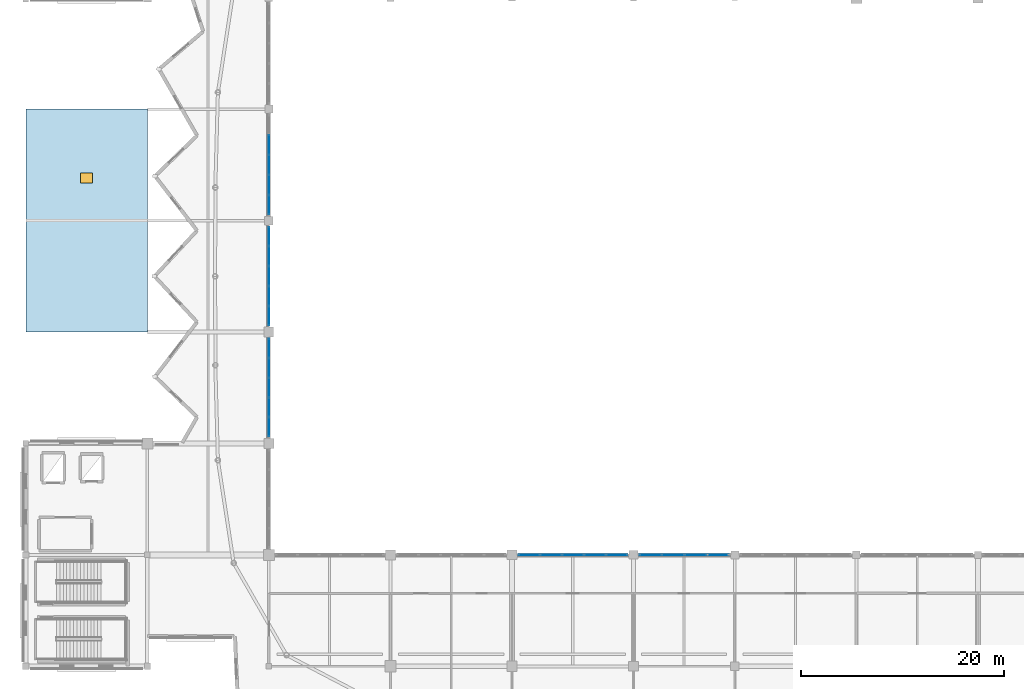
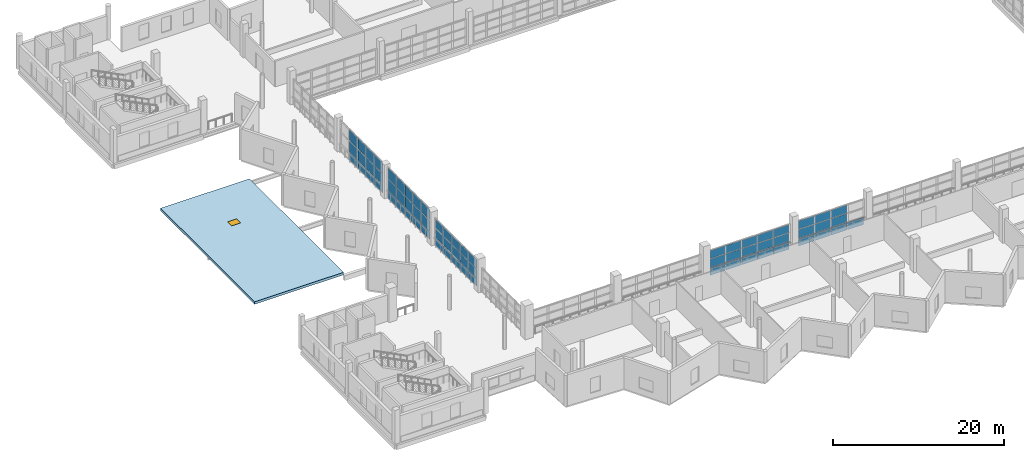
# One storey, part 29 of 53: 67 plates, 1 slab, 1 window, 1 opening, 5 elements without a shape of their own.
"""IFC4 building model written with IfcOpenShell, lengths in metres."""

from ifc_helpers import new_model, si_unit, direction, frame, origin, origin_2d, place, context, subcontext, project, spatial, polyline, rectangle, outline, extrude, material, layer, layer_set, type_object, element, fill, aggregate, save


model = new_model("IFC4")

# Units and contexts
model_context = context("Model", 3, precision=1e-05, world=origin(), true_north=direction((0.0, 1.0)))
body_context = subcontext(model_context, "Body", "Model", "MODEL_VIEW")
ifc_project = project(units=[si_unit("LENGTHUNIT", "METRE"), si_unit("AREAUNIT", "SQUARE_METRE"), si_unit("VOLUMEUNIT", "CUBIC_METRE"), si_unit("PLANEANGLEUNIT", "RADIAN"), si_unit("MASSUNIT", "GRAM", prefix="KILO")], contexts=[model_context])

# Site, building, storey
site_placement = place(None, origin())
site = spatial("IfcSite", under=ifc_project, at=site_placement, CompositionType="ELEMENT")
building_placement = place(site_placement, origin())
building = spatial("IfcBuilding", under=site, at=building_placement, Name="Luwafu Chhajja Arena", CompositionType="ELEMENT")
storey_placement = place(building_placement, frame((0.0, 0.0, 19.5)))
storey = spatial("IfcBuildingStorey", under=building, at=storey_placement, Name="L04", CompositionType="ELEMENT", Elevation=19.5)

# Curtain wall, plates
ifc_material_1 = material(Name="Anodised bronze aluminium", Category="aluminium")
curtain_wall_type = type_object("IfcCurtainWallType", Name="Media Ribbon Curtain Wall", PredefinedType="USERDEFINED", material=ifc_material_1)
curtain_wall_1_placement = place(storey_placement, origin())
curtain_wall_1 = element("IfcCurtainWall", 1, at=curtain_wall_1_placement, inside=storey, type_object=curtain_wall_type, Name="L04 Bowl Viewing Curtain Wall CWR-L04-03", ObjectType="CURTAIN WALL", PredefinedType="USERDEFINED")
ifc_material_2 = material(Name="Solar-control laminated glass", Category="glass")
ifc_layer_1 = layer(ifc_material_2, 0.035888671875, Name="Solar-control laminated glass")
ifc_layer_set_1 = layer_set([ifc_layer_1], Name="Solar-control laminated glass")
plate_type = type_object("IfcPlateType", Name="Acoustic Broadcast Double Glazed CW Panel 36", PredefinedType="CURTAIN_PANEL", material=ifc_layer_set_1)
plate_1_placement = place(storey_placement, frame((83.714599609375, 22.0, 0.070068359375), z_axis=(0.0, 0.0, 1.0), x_axis=(1.0, 0.0, 0.0)))
plate_1 = element("IfcPlate", 2, at=plate_1_placement, type_object=plate_type, Name="CW-03 panel 1.1", PredefinedType="CURTAIN_PANEL", context=body_context, shape_type="SweptSolid", body=[
    extrude(rectangle(XDim=2.05908203125, YDim=0.035888671875, at=origin_2d()), origin(), (0.0, 0.0, 1.0), 1.044921875),
])
plate_2_placement = place(storey_placement, frame((83.714599609375, 22.0, 1.18505859375), z_axis=(0.0, 0.0, 1.0), x_axis=(1.0, 0.0, 0.0)))
plate_2 = element("IfcPlate", 3, at=plate_2_placement, type_object=plate_type, Name="CW-03 panel 1.2", PredefinedType="CURTAIN_PANEL", context=body_context, shape_type="SweptSolid", body=[
    extrude(rectangle(XDim=2.05908203125, YDim=0.035888671875, at=origin_2d()), origin(), (0.0, 0.0, 1.0), 1.175048828125),
])
plate_3_placement = place(storey_placement, frame((83.714599609375, 22.0, 2.43017578125), z_axis=(0.0, 0.0, 1.0), x_axis=(1.0, 0.0, 0.0)))
plate_3 = element("IfcPlate", 4, at=plate_3_placement, type_object=plate_type, Name="CW-03 panel 1.3", PredefinedType="CURTAIN_PANEL", context=body_context, shape_type="SweptSolid", body=[
    extrude(rectangle(XDim=2.05908203125, YDim=0.035888671875, at=origin_2d()), origin(), (0.0, 0.0, 1.0), 1.139892578125),
])
plate_4_placement = place(storey_placement, frame((85.861083984375, 22.0, 0.070068359375), z_axis=(0.0, 0.0, 1.0), x_axis=(1.0, 0.0, 0.0)))
plate_4 = element("IfcPlate", 5, at=plate_4_placement, type_object=plate_type, Name="CW-03 panel 2.1", PredefinedType="CURTAIN_PANEL", context=body_context, shape_type="SweptSolid", body=[
    extrude(rectangle(XDim=2.093994140625, YDim=0.035888671875, at=origin_2d()), origin(), (0.0, 0.0, 1.0), 1.044921875),
])
plate_5_placement = place(storey_placement, frame((85.861083984375, 22.0, 1.18505859375), z_axis=(0.0, 0.0, 1.0), x_axis=(1.0, 0.0, 0.0)))
plate_5 = element("IfcPlate", 6, at=plate_5_placement, type_object=plate_type, Name="CW-03 panel 2.2", PredefinedType="CURTAIN_PANEL", context=body_context, shape_type="SweptSolid", body=[
    extrude(rectangle(XDim=2.093994140625, YDim=0.035888671875, at=origin_2d()), origin(), (0.0, 0.0, 1.0), 1.175048828125),
])
plate_6_placement = place(storey_placement, frame((85.861083984375, 22.0, 2.43017578125), z_axis=(0.0, 0.0, 1.0), x_axis=(1.0, 0.0, 0.0)))
plate_6 = element("IfcPlate", 7, at=plate_6_placement, type_object=plate_type, Name="CW-03 panel 2.3", PredefinedType="CURTAIN_PANEL", context=body_context, shape_type="SweptSolid", body=[
    extrude(rectangle(XDim=2.093994140625, YDim=0.035888671875, at=origin_2d()), origin(), (0.0, 0.0, 1.0), 1.139892578125),
])
plate_7_placement = place(storey_placement, frame((88.02490234375, 22.0, 0.070068359375), z_axis=(0.0, 0.0, 1.0), x_axis=(1.0, 0.0, 0.0)))
plate_7 = element("IfcPlate", 8, at=plate_7_placement, type_object=plate_type, Name="CW-03 panel 3.1", PredefinedType="CURTAIN_PANEL", context=body_context, shape_type="SweptSolid", body=[
    extrude(rectangle(XDim=2.093994140625, YDim=0.035888671875, at=origin_2d()), origin(), (0.0, 0.0, 1.0), 1.044921875),
])
plate_8_placement = place(storey_placement, frame((88.02490234375, 22.0, 1.18505859375), z_axis=(0.0, 0.0, 1.0), x_axis=(1.0, 0.0, 0.0)))
plate_8 = element("IfcPlate", 9, at=plate_8_placement, type_object=plate_type, Name="CW-03 panel 3.2", PredefinedType="CURTAIN_PANEL", context=body_context, shape_type="SweptSolid", body=[
    extrude(rectangle(XDim=2.093994140625, YDim=0.035888671875, at=origin_2d()), origin(), (0.0, 0.0, 1.0), 1.175048828125),
])
plate_9_placement = place(storey_placement, frame((88.02490234375, 22.0, 2.43017578125), z_axis=(0.0, 0.0, 1.0), x_axis=(1.0, 0.0, 0.0)))
plate_9 = element("IfcPlate", 10, at=plate_9_placement, type_object=plate_type, Name="CW-03 panel 3.3", PredefinedType="CURTAIN_PANEL", context=body_context, shape_type="SweptSolid", body=[
    extrude(rectangle(XDim=2.093994140625, YDim=0.035888671875, at=origin_2d()), origin(), (0.0, 0.0, 1.0), 1.139892578125),
])
plate_10_placement = place(storey_placement, frame((90.18896484375, 22.0, 0.070068359375), z_axis=(0.0, 0.0, 1.0), x_axis=(1.0, 0.0, 0.0)))
plate_10 = element("IfcPlate", 11, at=plate_10_placement, type_object=plate_type, Name="CW-03 panel 4.1", PredefinedType="CURTAIN_PANEL", context=body_context, shape_type="SweptSolid", body=[
    extrude(rectangle(XDim=2.093994140625, YDim=0.035888671875, at=origin_2d()), origin(), (0.0, 0.0, 1.0), 1.044921875),
])
plate_11_placement = place(storey_placement, frame((90.18896484375, 22.0, 1.18505859375), z_axis=(0.0, 0.0, 1.0), x_axis=(1.0, 0.0, 0.0)))
plate_11 = element("IfcPlate", 12, at=plate_11_placement, type_object=plate_type, Name="CW-03 panel 4.2", PredefinedType="CURTAIN_PANEL", context=body_context, shape_type="SweptSolid", body=[
    extrude(rectangle(XDim=2.093994140625, YDim=0.035888671875, at=origin_2d()), origin(), (0.0, 0.0, 1.0), 1.175048828125),
])
plate_12_placement = place(storey_placement, frame((90.18896484375, 22.0, 2.43017578125), z_axis=(0.0, 0.0, 1.0), x_axis=(1.0, 0.0, 0.0)))
plate_12 = element("IfcPlate", 13, at=plate_12_placement, type_object=plate_type, Name="CW-03 panel 4.3", PredefinedType="CURTAIN_PANEL", context=body_context, shape_type="SweptSolid", body=[
    extrude(rectangle(XDim=2.093994140625, YDim=0.035888671875, at=origin_2d()), origin(), (0.0, 0.0, 1.0), 1.139892578125),
])
plate_13_placement = place(storey_placement, frame((92.33544921875, 22.0, 0.070068359375), z_axis=(0.0, 0.0, 1.0), x_axis=(1.0, 0.0, 0.0)))
plate_13 = element("IfcPlate", 14, at=plate_13_placement, type_object=plate_type, Name="CW-03 panel 5.1", PredefinedType="CURTAIN_PANEL", context=body_context, shape_type="SweptSolid", body=[
    extrude(rectangle(XDim=2.05908203125, YDim=0.035888671875, at=origin_2d()), origin(), (0.0, 0.0, 1.0), 1.044921875),
])
plate_14_placement = place(storey_placement, frame((92.33544921875, 22.0, 1.18505859375), z_axis=(0.0, 0.0, 1.0), x_axis=(1.0, 0.0, 0.0)))
plate_14 = element("IfcPlate", 15, at=plate_14_placement, type_object=plate_type, Name="CW-03 panel 5.2", PredefinedType="CURTAIN_PANEL", context=body_context, shape_type="SweptSolid", body=[
    extrude(rectangle(XDim=2.05908203125, YDim=0.035888671875, at=origin_2d()), origin(), (0.0, 0.0, 1.0), 1.175048828125),
])
plate_15_placement = place(storey_placement, frame((92.33544921875, 22.0, 2.43017578125), z_axis=(0.0, 0.0, 1.0), x_axis=(1.0, 0.0, 0.0)))
plate_15 = element("IfcPlate", 16, at=plate_15_placement, type_object=plate_type, Name="CW-03 panel 5.3", PredefinedType="CURTAIN_PANEL", context=body_context, shape_type="SweptSolid", body=[
    extrude(rectangle(XDim=2.05908203125, YDim=0.035888671875, at=origin_2d()), origin(), (0.0, 0.0, 1.0), 1.139892578125),
])
aggregate(curtain_wall_1, [plate_1, plate_2, plate_3, plate_4, plate_5, plate_6, plate_7, plate_8, plate_9, plate_10, plate_11, plate_12, plate_13, plate_14, plate_15])

curtain_wall_2_placement = place(storey_placement, origin())
curtain_wall_2 = element("IfcCurtainWall", 17, at=curtain_wall_2_placement, inside=storey, type_object=curtain_wall_type, Name="L04 Bowl Viewing Curtain Wall CWR-L04-04", ObjectType="CURTAIN WALL", PredefinedType="USERDEFINED")
plate_16_placement = place(storey_placement, frame((95.6943359375, 22.0, 0.070068359375), z_axis=(0.0, 0.0, 1.0), x_axis=(1.0, 0.0, 0.0)))
plate_16 = element("IfcPlate", 18, at=plate_16_placement, type_object=plate_type, Name="CW-03 panel 1.1", PredefinedType="CURTAIN_PANEL", context=body_context, shape_type="SweptSolid", body=[
    extrude(rectangle(XDim=2.11865234375, YDim=0.035888671875, at=origin_2d()), origin(), (0.0, 0.0, 1.0), 1.044921875),
])
plate_17_placement = place(storey_placement, frame((95.6943359375, 22.0, 1.18505859375), z_axis=(0.0, 0.0, 1.0), x_axis=(1.0, 0.0, 0.0)))
plate_17 = element("IfcPlate", 19, at=plate_17_placement, type_object=plate_type, Name="CW-03 panel 1.2", PredefinedType="CURTAIN_PANEL", context=body_context, shape_type="SweptSolid", body=[
    extrude(rectangle(XDim=2.11865234375, YDim=0.035888671875, at=origin_2d()), origin(), (0.0, 0.0, 1.0), 1.208251953125),
])
plate_18_placement = place(storey_placement, frame((95.6943359375, 22.0, 2.463134765625), z_axis=(0.0, 0.0, 1.0), x_axis=(1.0, 0.0, 0.0)))
plate_18 = element("IfcPlate", 20, at=plate_18_placement, type_object=plate_type, Name="CW-03 panel 1.3", PredefinedType="CURTAIN_PANEL", context=body_context, shape_type="SweptSolid", body=[
    extrude(rectangle(XDim=2.11865234375, YDim=0.035888671875, at=origin_2d()), origin(), (0.0, 0.0, 1.0), 1.17333984375),
])
plate_19_placement = place(storey_placement, frame((97.900634765625, 22.0, 0.070068359375), z_axis=(0.0, 0.0, 1.0), x_axis=(1.0, 0.0, 0.0)))
plate_19 = element("IfcPlate", 21, at=plate_19_placement, type_object=plate_type, Name="CW-03 panel 2.1", PredefinedType="CURTAIN_PANEL", context=body_context, shape_type="SweptSolid", body=[
    extrude(rectangle(XDim=2.15380859375, YDim=0.035888671875, at=origin_2d()), origin(), (0.0, 0.0, 1.0), 1.044921875),
])
plate_20_placement = place(storey_placement, frame((97.900634765625, 22.0, 1.18505859375), z_axis=(0.0, 0.0, 1.0), x_axis=(1.0, 0.0, 0.0)))
plate_20 = element("IfcPlate", 22, at=plate_20_placement, type_object=plate_type, Name="CW-03 panel 2.2", PredefinedType="CURTAIN_PANEL", context=body_context, shape_type="SweptSolid", body=[
    extrude(rectangle(XDim=2.15380859375, YDim=0.035888671875, at=origin_2d()), origin(), (0.0, 0.0, 1.0), 1.208251953125),
])
plate_21_placement = place(storey_placement, frame((97.900634765625, 22.0, 2.463134765625), z_axis=(0.0, 0.0, 1.0), x_axis=(1.0, 0.0, 0.0)))
plate_21 = element("IfcPlate", 23, at=plate_21_placement, type_object=plate_type, Name="CW-03 panel 2.3", PredefinedType="CURTAIN_PANEL", context=body_context, shape_type="SweptSolid", body=[
    extrude(rectangle(XDim=2.15380859375, YDim=0.035888671875, at=origin_2d()), origin(), (0.0, 0.0, 1.0), 1.17333984375),
])
plate_22_placement = place(storey_placement, frame((100.124267578125, 22.0, 0.070068359375), z_axis=(0.0, 0.0, 1.0), x_axis=(1.0, 0.0, 0.0)))
plate_22 = element("IfcPlate", 24, at=plate_22_placement, type_object=plate_type, Name="CW-03 panel 3.1", PredefinedType="CURTAIN_PANEL", context=body_context, shape_type="SweptSolid", body=[
    extrude(rectangle(XDim=2.15380859375, YDim=0.035888671875, at=origin_2d()), origin(), (0.0, 0.0, 1.0), 1.044921875),
])
plate_23_placement = place(storey_placement, frame((100.124267578125, 22.0, 1.18505859375), z_axis=(0.0, 0.0, 1.0), x_axis=(1.0, 0.0, 0.0)))
plate_23 = element("IfcPlate", 25, at=plate_23_placement, type_object=plate_type, Name="CW-03 panel 3.2", PredefinedType="CURTAIN_PANEL", context=body_context, shape_type="SweptSolid", body=[
    extrude(rectangle(XDim=2.15380859375, YDim=0.035888671875, at=origin_2d()), origin(), (0.0, 0.0, 1.0), 1.208251953125),
])
plate_24_placement = place(storey_placement, frame((100.124267578125, 22.0, 2.463134765625), z_axis=(0.0, 0.0, 1.0), x_axis=(1.0, 0.0, 0.0)))
plate_24 = element("IfcPlate", 26, at=plate_24_placement, type_object=plate_type, Name="CW-03 panel 3.3", PredefinedType="CURTAIN_PANEL", context=body_context, shape_type="SweptSolid", body=[
    extrude(rectangle(XDim=2.15380859375, YDim=0.035888671875, at=origin_2d()), origin(), (0.0, 0.0, 1.0), 1.17333984375),
])
plate_25_placement = place(storey_placement, frame((102.33056640625, 22.0, 0.070068359375), z_axis=(0.0, 0.0, 1.0), x_axis=(1.0, 0.0, 0.0)))
plate_25 = element("IfcPlate", 27, at=plate_25_placement, type_object=plate_type, Name="CW-03 panel 4.1", PredefinedType="CURTAIN_PANEL", context=body_context, shape_type="SweptSolid", body=[
    extrude(rectangle(XDim=2.11865234375, YDim=0.035888671875, at=origin_2d()), origin(), (0.0, 0.0, 1.0), 1.044921875),
])
aggregate(curtain_wall_2, [plate_16, plate_17, plate_18, plate_19, plate_20, plate_21, plate_22, plate_23, plate_24, plate_25])

curtain_wall_3_placement = place(storey_placement, origin())
curtain_wall_3 = element("IfcCurtainWall", 28, at=curtain_wall_3_placement, inside=storey, type_object=curtain_wall_type, Name="L04 Bowl Viewing Curtain Wall CWR-L04-16", ObjectType="CURTAIN WALL", PredefinedType="USERDEFINED")
plate_26_placement = place(storey_placement, frame((58.0, 34.632080078125, 0.070068359375), z_axis=(0.0, 0.0, 1.0), x_axis=(0.0, 1.0, 0.0)))
plate_26 = element("IfcPlate", 29, at=plate_26_placement, type_object=plate_type, Name="CW-03 panel 1.1", PredefinedType="CURTAIN_PANEL", context=body_context, shape_type="SweptSolid", body=[
    extrude(rectangle(XDim=1.843994140625, YDim=0.035888671875, at=origin_2d()), origin(), (0.0, 0.0, 1.0), 1.044921875),
])
plate_27_placement = place(storey_placement, frame((58.0, 34.632080078125, 1.18505859375), z_axis=(0.0, 0.0, 1.0), x_axis=(0.0, 1.0, 0.0)))
plate_27 = element("IfcPlate", 30, at=plate_27_placement, type_object=plate_type, Name="CW-03 panel 1.2", PredefinedType="CURTAIN_PANEL", context=body_context, shape_type="SweptSolid", body=[
    extrude(rectangle(XDim=1.843994140625, YDim=0.035888671875, at=origin_2d()), origin(), (0.0, 0.0, 1.0), 1.300048828125),
])
plate_28_placement = place(storey_placement, frame((58.0, 34.632080078125, 2.55517578125), z_axis=(0.0, 0.0, 1.0), x_axis=(0.0, 1.0, 0.0)))
plate_28 = element("IfcPlate", 31, at=plate_28_placement, type_object=plate_type, Name="CW-03 panel 1.3", PredefinedType="CURTAIN_PANEL", context=body_context, shape_type="SweptSolid", body=[
    extrude(rectangle(XDim=1.843994140625, YDim=0.035888671875, at=origin_2d()), origin(), (0.0, 0.0, 1.0), 1.264892578125),
])
plate_29_placement = place(storey_placement, frame((58.0, 36.5634765625, 0.070068359375), z_axis=(0.0, 0.0, 1.0), x_axis=(0.0, 1.0, 0.0)))
plate_29 = element("IfcPlate", 32, at=plate_29_placement, type_object=plate_type, Name="CW-03 panel 2.1", PredefinedType="CURTAIN_PANEL", context=body_context, shape_type="SweptSolid", body=[
    extrude(rectangle(XDim=1.87890625, YDim=0.035888671875, at=origin_2d()), origin(), (0.0, 0.0, 1.0), 1.044921875),
])
plate_30_placement = place(storey_placement, frame((58.0, 36.5634765625, 1.18505859375), z_axis=(0.0, 0.0, 1.0), x_axis=(0.0, 1.0, 0.0)))
plate_30 = element("IfcPlate", 33, at=plate_30_placement, type_object=plate_type, Name="CW-03 panel 2.2", PredefinedType="CURTAIN_PANEL", context=body_context, shape_type="SweptSolid", body=[
    extrude(rectangle(XDim=1.87890625, YDim=0.035888671875, at=origin_2d()), origin(), (0.0, 0.0, 1.0), 1.300048828125),
])
plate_31_placement = place(storey_placement, frame((58.0, 36.5634765625, 2.55517578125), z_axis=(0.0, 0.0, 1.0), x_axis=(0.0, 1.0, 0.0)))
plate_31 = element("IfcPlate", 34, at=plate_31_placement, type_object=plate_type, Name="CW-03 panel 2.3", PredefinedType="CURTAIN_PANEL", context=body_context, shape_type="SweptSolid", body=[
    extrude(rectangle(XDim=1.87890625, YDim=0.035888671875, at=origin_2d()), origin(), (0.0, 0.0, 1.0), 1.264892578125),
])
plate_32_placement = place(storey_placement, frame((58.0, 38.512451171875, 0.070068359375), z_axis=(0.0, 0.0, 1.0), x_axis=(0.0, 1.0, 0.0)))
plate_32 = element("IfcPlate", 35, at=plate_32_placement, type_object=plate_type, Name="CW-03 panel 3.1", PredefinedType="CURTAIN_PANEL", context=body_context, shape_type="SweptSolid", body=[
    extrude(rectangle(XDim=1.87890625, YDim=0.035888671875, at=origin_2d()), origin(), (0.0, 0.0, 1.0), 1.044921875),
])
plate_33_placement = place(storey_placement, frame((58.0, 38.512451171875, 1.18505859375), z_axis=(0.0, 0.0, 1.0), x_axis=(0.0, 1.0, 0.0)))
plate_33 = element("IfcPlate", 36, at=plate_33_placement, type_object=plate_type, Name="CW-03 panel 3.2", PredefinedType="CURTAIN_PANEL", context=body_context, shape_type="SweptSolid", body=[
    extrude(rectangle(XDim=1.87890625, YDim=0.035888671875, at=origin_2d()), origin(), (0.0, 0.0, 1.0), 1.300048828125),
])
plate_34_placement = place(storey_placement, frame((58.0, 38.512451171875, 2.55517578125), z_axis=(0.0, 0.0, 1.0), x_axis=(0.0, 1.0, 0.0)))
plate_34 = element("IfcPlate", 37, at=plate_34_placement, type_object=plate_type, Name="CW-03 panel 3.3", PredefinedType="CURTAIN_PANEL", context=body_context, shape_type="SweptSolid", body=[
    extrude(rectangle(XDim=1.87890625, YDim=0.035888671875, at=origin_2d()), origin(), (0.0, 0.0, 1.0), 1.264892578125),
])
plate_35_placement = place(storey_placement, frame((58.0, 40.46142578125, 0.070068359375), z_axis=(0.0, 0.0, 1.0), x_axis=(0.0, 1.0, 0.0)))
plate_35 = element("IfcPlate", 38, at=plate_35_placement, type_object=plate_type, Name="CW-03 panel 4.1", PredefinedType="CURTAIN_PANEL", context=body_context, shape_type="SweptSolid", body=[
    extrude(rectangle(XDim=1.87890625, YDim=0.035888671875, at=origin_2d()), origin(), (0.0, 0.0, 1.0), 1.044921875),
])
plate_36_placement = place(storey_placement, frame((58.0, 40.46142578125, 1.18505859375), z_axis=(0.0, 0.0, 1.0), x_axis=(0.0, 1.0, 0.0)))
plate_36 = element("IfcPlate", 39, at=plate_36_placement, type_object=plate_type, Name="CW-03 panel 4.2", PredefinedType="CURTAIN_PANEL", context=body_context, shape_type="SweptSolid", body=[
    extrude(rectangle(XDim=1.87890625, YDim=0.035888671875, at=origin_2d()), origin(), (0.0, 0.0, 1.0), 1.300048828125),
])
plate_37_placement = place(storey_placement, frame((58.0, 40.46142578125, 2.55517578125), z_axis=(0.0, 0.0, 1.0), x_axis=(0.0, 1.0, 0.0)))
plate_37 = element("IfcPlate", 40, at=plate_37_placement, type_object=plate_type, Name="CW-03 panel 4.3", PredefinedType="CURTAIN_PANEL", context=body_context, shape_type="SweptSolid", body=[
    extrude(rectangle(XDim=1.87890625, YDim=0.035888671875, at=origin_2d()), origin(), (0.0, 0.0, 1.0), 1.264892578125),
])
plate_38_placement = place(storey_placement, frame((58.0, 42.39306640625, 0.070068359375), z_axis=(0.0, 0.0, 1.0), x_axis=(0.0, 1.0, 0.0)))
plate_38 = element("IfcPlate", 41, at=plate_38_placement, type_object=plate_type, Name="CW-03 panel 5.1", PredefinedType="CURTAIN_PANEL", context=body_context, shape_type="SweptSolid", body=[
    extrude(rectangle(XDim=1.843994140625, YDim=0.035888671875, at=origin_2d()), origin(), (0.0, 0.0, 1.0), 1.044921875),
])
plate_39_placement = place(storey_placement, frame((58.0, 42.39306640625, 1.18505859375), z_axis=(0.0, 0.0, 1.0), x_axis=(0.0, 1.0, 0.0)))
plate_39 = element("IfcPlate", 42, at=plate_39_placement, type_object=plate_type, Name="CW-03 panel 5.2", PredefinedType="CURTAIN_PANEL", context=body_context, shape_type="SweptSolid", body=[
    extrude(rectangle(XDim=1.843994140625, YDim=0.035888671875, at=origin_2d()), origin(), (0.0, 0.0, 1.0), 1.300048828125),
])
plate_40_placement = place(storey_placement, frame((58.0, 42.39306640625, 2.55517578125), z_axis=(0.0, 0.0, 1.0), x_axis=(0.0, 1.0, 0.0)))
plate_40 = element("IfcPlate", 43, at=plate_40_placement, type_object=plate_type, Name="CW-03 panel 5.3", PredefinedType="CURTAIN_PANEL", context=body_context, shape_type="SweptSolid", body=[
    extrude(rectangle(XDim=1.843994140625, YDim=0.035888671875, at=origin_2d()), origin(), (0.0, 0.0, 1.0), 1.264892578125),
])
aggregate(curtain_wall_3, [plate_26, plate_27, plate_28, plate_29, plate_30, plate_31, plate_32, plate_33, plate_34, plate_35, plate_36, plate_37, plate_38, plate_39, plate_40])

curtain_wall_4_placement = place(storey_placement, origin())
curtain_wall_4 = element("IfcCurtainWall", 44, at=curtain_wall_4_placement, inside=storey, type_object=curtain_wall_type, Name="L04 Bowl Viewing Curtain Wall CWR-L04-17", ObjectType="CURTAIN WALL", PredefinedType="USERDEFINED")
plate_41_placement = place(storey_placement, frame((58.0, 45.614501953125, 0.070068359375), z_axis=(0.0, 0.0, 1.0), x_axis=(0.0, 1.0, 0.0)))
plate_41 = element("IfcPlate", 45, at=plate_41_placement, type_object=plate_type, Name="CW-03 panel 1.1", PredefinedType="CURTAIN_PANEL", context=body_context, shape_type="SweptSolid", body=[
    extrude(rectangle(XDim=1.85888671875, YDim=0.035888671875, at=origin_2d()), origin(), (0.0, 0.0, 1.0), 1.044921875),
])
plate_42_placement = place(storey_placement, frame((58.0, 45.614501953125, 1.18505859375), z_axis=(0.0, 0.0, 1.0), x_axis=(0.0, 1.0, 0.0)))
plate_42 = element("IfcPlate", 46, at=plate_42_placement, type_object=plate_type, Name="CW-03 panel 1.2", PredefinedType="CURTAIN_PANEL", context=body_context, shape_type="SweptSolid", body=[
    extrude(rectangle(XDim=1.85888671875, YDim=0.035888671875, at=origin_2d()), origin(), (0.0, 0.0, 1.0), 1.5849609375),
])
plate_43_placement = place(storey_placement, frame((58.0, 45.614501953125, 2.83984375), z_axis=(0.0, 0.0, 1.0), x_axis=(0.0, 1.0, 0.0)))
plate_43 = element("IfcPlate", 47, at=plate_43_placement, type_object=plate_type, Name="CW-03 panel 1.3", PredefinedType="CURTAIN_PANEL", context=body_context, shape_type="SweptSolid", body=[
    extrude(rectangle(XDim=1.85888671875, YDim=0.035888671875, at=origin_2d()), origin(), (0.0, 0.0, 1.0), 1.550048828125),
])
plate_44_placement = place(storey_placement, frame((58.0, 47.56103515625, 0.070068359375), z_axis=(0.0, 0.0, 1.0), x_axis=(0.0, 1.0, 0.0)))
plate_44 = element("IfcPlate", 48, at=plate_44_placement, type_object=plate_type, Name="CW-03 panel 2.1", PredefinedType="CURTAIN_PANEL", context=body_context, shape_type="SweptSolid", body=[
    extrude(rectangle(XDim=1.89404296875, YDim=0.035888671875, at=origin_2d()), origin(), (0.0, 0.0, 1.0), 1.044921875),
])
plate_45_placement = place(storey_placement, frame((58.0, 47.56103515625, 1.18505859375), z_axis=(0.0, 0.0, 1.0), x_axis=(0.0, 1.0, 0.0)))
plate_45 = element("IfcPlate", 49, at=plate_45_placement, type_object=plate_type, Name="CW-03 panel 2.2", PredefinedType="CURTAIN_PANEL", context=body_context, shape_type="SweptSolid", body=[
    extrude(rectangle(XDim=1.89404296875, YDim=0.035888671875, at=origin_2d()), origin(), (0.0, 0.0, 1.0), 1.5849609375),
])
plate_46_placement = place(storey_placement, frame((58.0, 47.56103515625, 2.83984375), z_axis=(0.0, 0.0, 1.0), x_axis=(0.0, 1.0, 0.0)))
plate_46 = element("IfcPlate", 50, at=plate_46_placement, type_object=plate_type, Name="CW-03 panel 2.3", PredefinedType="CURTAIN_PANEL", context=body_context, shape_type="SweptSolid", body=[
    extrude(rectangle(XDim=1.89404296875, YDim=0.035888671875, at=origin_2d()), origin(), (0.0, 0.0, 1.0), 1.550048828125),
])
plate_47_placement = place(storey_placement, frame((58.0, 49.52490234375, 0.070068359375), z_axis=(0.0, 0.0, 1.0), x_axis=(0.0, 1.0, 0.0)))
plate_47 = element("IfcPlate", 51, at=plate_47_placement, type_object=plate_type, Name="CW-03 panel 3.1", PredefinedType="CURTAIN_PANEL", context=body_context, shape_type="SweptSolid", body=[
    extrude(rectangle(XDim=1.89404296875, YDim=0.035888671875, at=origin_2d()), origin(), (0.0, 0.0, 1.0), 1.044921875),
])
plate_48_placement = place(storey_placement, frame((58.0, 49.52490234375, 1.18505859375), z_axis=(0.0, 0.0, 1.0), x_axis=(0.0, 1.0, 0.0)))
plate_48 = element("IfcPlate", 52, at=plate_48_placement, type_object=plate_type, Name="CW-03 panel 3.2", PredefinedType="CURTAIN_PANEL", context=body_context, shape_type="SweptSolid", body=[
    extrude(rectangle(XDim=1.89404296875, YDim=0.035888671875, at=origin_2d()), origin(), (0.0, 0.0, 1.0), 1.5849609375),
])
plate_49_placement = place(storey_placement, frame((58.0, 49.52490234375, 2.83984375), z_axis=(0.0, 0.0, 1.0), x_axis=(0.0, 1.0, 0.0)))
plate_49 = element("IfcPlate", 53, at=plate_49_placement, type_object=plate_type, Name="CW-03 panel 3.3", PredefinedType="CURTAIN_PANEL", context=body_context, shape_type="SweptSolid", body=[
    extrude(rectangle(XDim=1.89404296875, YDim=0.035888671875, at=origin_2d()), origin(), (0.0, 0.0, 1.0), 1.550048828125),
])
plate_50_placement = place(storey_placement, frame((58.0, 51.489013671875, 0.070068359375), z_axis=(0.0, 0.0, 1.0), x_axis=(0.0, 1.0, 0.0)))
plate_50 = element("IfcPlate", 54, at=plate_50_placement, type_object=plate_type, Name="CW-03 panel 4.1", PredefinedType="CURTAIN_PANEL", context=body_context, shape_type="SweptSolid", body=[
    extrude(rectangle(XDim=1.89404296875, YDim=0.035888671875, at=origin_2d()), origin(), (0.0, 0.0, 1.0), 1.044921875),
])
plate_51_placement = place(storey_placement, frame((58.0, 51.489013671875, 1.18505859375), z_axis=(0.0, 0.0, 1.0), x_axis=(0.0, 1.0, 0.0)))
plate_51 = element("IfcPlate", 55, at=plate_51_placement, type_object=plate_type, Name="CW-03 panel 4.2", PredefinedType="CURTAIN_PANEL", context=body_context, shape_type="SweptSolid", body=[
    extrude(rectangle(XDim=1.89404296875, YDim=0.035888671875, at=origin_2d()), origin(), (0.0, 0.0, 1.0), 1.5849609375),
])
plate_52_placement = place(storey_placement, frame((58.0, 51.489013671875, 2.83984375), z_axis=(0.0, 0.0, 1.0), x_axis=(0.0, 1.0, 0.0)))
plate_52 = element("IfcPlate", 56, at=plate_52_placement, type_object=plate_type, Name="CW-03 panel 4.3", PredefinedType="CURTAIN_PANEL", context=body_context, shape_type="SweptSolid", body=[
    extrude(rectangle(XDim=1.89404296875, YDim=0.035888671875, at=origin_2d()), origin(), (0.0, 0.0, 1.0), 1.550048828125),
])
plate_53_placement = place(storey_placement, frame((58.0, 53.435546875, 0.070068359375), z_axis=(0.0, 0.0, 1.0), x_axis=(0.0, 1.0, 0.0)))
plate_53 = element("IfcPlate", 57, at=plate_53_placement, type_object=plate_type, Name="CW-03 panel 5.1", PredefinedType="CURTAIN_PANEL", context=body_context, shape_type="SweptSolid", body=[
    extrude(rectangle(XDim=1.85888671875, YDim=0.035888671875, at=origin_2d()), origin(), (0.0, 0.0, 1.0), 1.044921875),
])
plate_54_placement = place(storey_placement, frame((58.0, 53.435546875, 1.18505859375), z_axis=(0.0, 0.0, 1.0), x_axis=(0.0, 1.0, 0.0)))
plate_54 = element("IfcPlate", 58, at=plate_54_placement, type_object=plate_type, Name="CW-03 panel 5.2", PredefinedType="CURTAIN_PANEL", context=body_context, shape_type="SweptSolid", body=[
    extrude(rectangle(XDim=1.85888671875, YDim=0.035888671875, at=origin_2d()), origin(), (0.0, 0.0, 1.0), 1.5849609375),
])
plate_55_placement = place(storey_placement, frame((58.0, 53.435546875, 2.83984375), z_axis=(0.0, 0.0, 1.0), x_axis=(0.0, 1.0, 0.0)))
plate_55 = element("IfcPlate", 59, at=plate_55_placement, type_object=plate_type, Name="CW-03 panel 5.3", PredefinedType="CURTAIN_PANEL", context=body_context, shape_type="SweptSolid", body=[
    extrude(rectangle(XDim=1.85888671875, YDim=0.035888671875, at=origin_2d()), origin(), (0.0, 0.0, 1.0), 1.550048828125),
])
aggregate(curtain_wall_4, [plate_41, plate_42, plate_43, plate_44, plate_45, plate_46, plate_47, plate_48, plate_49, plate_50, plate_51, plate_52, plate_53, plate_54, plate_55])

curtain_wall_5_placement = place(storey_placement, origin())
curtain_wall_5 = element("IfcCurtainWall", 60, at=curtain_wall_5_placement, inside=storey, type_object=curtain_wall_type, Name="L04 Bowl Viewing Curtain Wall CWR-L04-18", ObjectType="CURTAIN WALL", PredefinedType="USERDEFINED")
plate_56_placement = place(storey_placement, frame((58.0, 56.572021484375, 0.070068359375), z_axis=(0.0, 0.0, 1.0), x_axis=(0.0, 1.0, 0.0)))
plate_56 = element("IfcPlate", 61, at=plate_56_placement, type_object=plate_type, Name="CW-03 panel 1.1", PredefinedType="CURTAIN_PANEL", context=body_context, shape_type="SweptSolid", body=[
    extrude(rectangle(XDim=1.8740234375, YDim=0.035888671875, at=origin_2d()), origin(), (0.0, 0.0, 1.0), 1.044921875),
])
plate_57_placement = place(storey_placement, frame((58.0, 56.572021484375, 1.18505859375), z_axis=(0.0, 0.0, 1.0), x_axis=(0.0, 1.0, 0.0)))
plate_57 = element("IfcPlate", 62, at=plate_57_placement, type_object=plate_type, Name="CW-03 panel 1.2", PredefinedType="CURTAIN_PANEL", context=body_context, shape_type="SweptSolid", body=[
    extrude(rectangle(XDim=1.8740234375, YDim=0.035888671875, at=origin_2d()), origin(), (0.0, 0.0, 1.0), 1.5849609375),
])
plate_58_placement = place(storey_placement, frame((58.0, 56.572021484375, 2.83984375), z_axis=(0.0, 0.0, 1.0), x_axis=(0.0, 1.0, 0.0)))
plate_58 = element("IfcPlate", 63, at=plate_58_placement, type_object=plate_type, Name="CW-03 panel 1.3", PredefinedType="CURTAIN_PANEL", context=body_context, shape_type="SweptSolid", body=[
    extrude(rectangle(XDim=1.8740234375, YDim=0.035888671875, at=origin_2d()), origin(), (0.0, 0.0, 1.0), 1.550048828125),
])
plate_59_placement = place(storey_placement, frame((58.0, 58.533447265625, 0.070068359375), z_axis=(0.0, 0.0, 1.0), x_axis=(0.0, 1.0, 0.0)))
plate_59 = element("IfcPlate", 64, at=plate_59_placement, type_object=plate_type, Name="CW-03 panel 2.1", PredefinedType="CURTAIN_PANEL", context=body_context, shape_type="SweptSolid", body=[
    extrude(rectangle(XDim=1.908935546875, YDim=0.035888671875, at=origin_2d()), origin(), (0.0, 0.0, 1.0), 1.044921875),
])
plate_60_placement = place(storey_placement, frame((58.0, 58.533447265625, 1.18505859375), z_axis=(0.0, 0.0, 1.0), x_axis=(0.0, 1.0, 0.0)))
plate_60 = element("IfcPlate", 65, at=plate_60_placement, type_object=plate_type, Name="CW-03 panel 2.2", PredefinedType="CURTAIN_PANEL", context=body_context, shape_type="SweptSolid", body=[
    extrude(rectangle(XDim=1.908935546875, YDim=0.035888671875, at=origin_2d()), origin(), (0.0, 0.0, 1.0), 1.5849609375),
])
plate_61_placement = place(storey_placement, frame((58.0, 58.533447265625, 2.83984375), z_axis=(0.0, 0.0, 1.0), x_axis=(0.0, 1.0, 0.0)))
plate_61 = element("IfcPlate", 66, at=plate_61_placement, type_object=plate_type, Name="CW-03 panel 2.3", PredefinedType="CURTAIN_PANEL", context=body_context, shape_type="SweptSolid", body=[
    extrude(rectangle(XDim=1.908935546875, YDim=0.035888671875, at=origin_2d()), origin(), (0.0, 0.0, 1.0), 1.550048828125),
])
plate_62_placement = place(storey_placement, frame((58.0, 60.512451171875, 0.070068359375), z_axis=(0.0, 0.0, 1.0), x_axis=(0.0, 1.0, 0.0)))
plate_62 = element("IfcPlate", 67, at=plate_62_placement, type_object=plate_type, Name="CW-03 panel 3.1", PredefinedType="CURTAIN_PANEL", context=body_context, shape_type="SweptSolid", body=[
    extrude(rectangle(XDim=1.908935546875, YDim=0.035888671875, at=origin_2d()), origin(), (0.0, 0.0, 1.0), 1.044921875),
])
plate_63_placement = place(storey_placement, frame((58.0, 60.512451171875, 1.18505859375), z_axis=(0.0, 0.0, 1.0), x_axis=(0.0, 1.0, 0.0)))
plate_63 = element("IfcPlate", 68, at=plate_63_placement, type_object=plate_type, Name="CW-03 panel 3.2", PredefinedType="CURTAIN_PANEL", context=body_context, shape_type="SweptSolid", body=[
    extrude(rectangle(XDim=1.908935546875, YDim=0.035888671875, at=origin_2d()), origin(), (0.0, 0.0, 1.0), 1.5849609375),
])
plate_64_placement = place(storey_placement, frame((58.0, 60.512451171875, 2.83984375), z_axis=(0.0, 0.0, 1.0), x_axis=(0.0, 1.0, 0.0)))
plate_64 = element("IfcPlate", 69, at=plate_64_placement, type_object=plate_type, Name="CW-03 panel 3.3", PredefinedType="CURTAIN_PANEL", context=body_context, shape_type="SweptSolid", body=[
    extrude(rectangle(XDim=1.908935546875, YDim=0.035888671875, at=origin_2d()), origin(), (0.0, 0.0, 1.0), 1.550048828125),
])
plate_65_placement = place(storey_placement, frame((58.0, 62.491455078125, 0.070068359375), z_axis=(0.0, 0.0, 1.0), x_axis=(0.0, 1.0, 0.0)))
plate_65 = element("IfcPlate", 70, at=plate_65_placement, type_object=plate_type, Name="CW-03 panel 4.1", PredefinedType="CURTAIN_PANEL", context=body_context, shape_type="SweptSolid", body=[
    extrude(rectangle(XDim=1.908935546875, YDim=0.035888671875, at=origin_2d()), origin(), (0.0, 0.0, 1.0), 1.044921875),
])
plate_66_placement = place(storey_placement, frame((58.0, 62.491455078125, 1.18505859375), z_axis=(0.0, 0.0, 1.0), x_axis=(0.0, 1.0, 0.0)))
plate_66 = element("IfcPlate", 71, at=plate_66_placement, type_object=plate_type, Name="CW-03 panel 4.2", PredefinedType="CURTAIN_PANEL", context=body_context, shape_type="SweptSolid", body=[
    extrude(rectangle(XDim=1.908935546875, YDim=0.035888671875, at=origin_2d()), origin(), (0.0, 0.0, 1.0), 1.5849609375),
])
plate_67_placement = place(storey_placement, frame((58.0, 62.491455078125, 2.83984375), z_axis=(0.0, 0.0, 1.0), x_axis=(0.0, 1.0, 0.0)))
plate_67 = element("IfcPlate", 72, at=plate_67_placement, type_object=plate_type, Name="CW-03 panel 4.3", PredefinedType="CURTAIN_PANEL", context=body_context, shape_type="SweptSolid", body=[
    extrude(rectangle(XDim=1.908935546875, YDim=0.035888671875, at=origin_2d()), origin(), (0.0, 0.0, 1.0), 1.550048828125),
])
aggregate(curtain_wall_5, [plate_56, plate_57, plate_58, plate_59, plate_60, plate_61, plate_62, plate_63, plate_64, plate_65, plate_66, plate_67])

# Slab, opening, window
ifc_material_3 = material(Name="Concrete C35/45", Category="concrete")
ifc_layer_2 = layer(ifc_material_3, 0.360107421875, Name="Concrete C35/45")
ifc_layer_set_2 = layer_set([ifc_layer_2], Name="Concrete C35/45")
slab_type = type_object("IfcSlabType", Name="Core Overrun Structural Roof Cap 360", PredefinedType="ROOF", material=ifc_layer_set_2)
slab_placement = place(storey_placement, frame((0.0, 0.0, -0.360107421875)))
slab = element("IfcSlab", 73, at=slab_placement, inside=storey, type_object=slab_type, Name="L04 Core C5 Roof Slab", PredefinedType="ROOF", context=body_context, shape_type="SweptSolid", body=[
    extrude(outline(polyline([(34.0, 44.0), (46.0, 44.0), (46.0, 66.0), (34.0, 66.0), (34.0, 44.0)])), origin(), (0.0, 0.0, 1.0), 0.360107421875),
])
opening_placement = place(slab_placement, frame((40.0, 59.199951171875, -0.010009765625)))
opening = element("IfcOpeningElement", 74, at=opening_placement, cuts=slab, Name="Opening RH-02", PredefinedType="OPENING", context=body_context, shape_type="SweptSolid", body=[
    extrude(rectangle(XDim=1.199951171875, YDim=0.949951171875, at=origin_2d()), origin(), (0.0, 0.0, 1.0), 0.380126953125),
])
window_type = type_object("IfcWindowType", Name="Wing Maintenance Access Roof Hatch 1200x950", PartitioningType="SINGLE_PANEL", PredefinedType="SKYLIGHT", material=ifc_material_2)
window_placement = place(opening_placement, frame((0.0, 0.0, 0.320068359375)))
window = element("IfcWindow", 75, at=window_placement, inside=storey, type_object=window_type, Name="L04 Roof Skylight and Access Hatch 09", OverallHeight=0.949951171875, OverallWidth=1.199951171875, PartitioningType="SINGLE_PANEL", PredefinedType="SKYLIGHT", context=body_context, shape_type="SweptSolid", body=[
    extrude(rectangle(XDim=1.199951171875, YDim=0.949951171875, at=origin_2d()), origin(), (0.0, 0.0, 1.0), 0.050048828125),
])
fill(opening, window)

save(model, "model.ifc")
